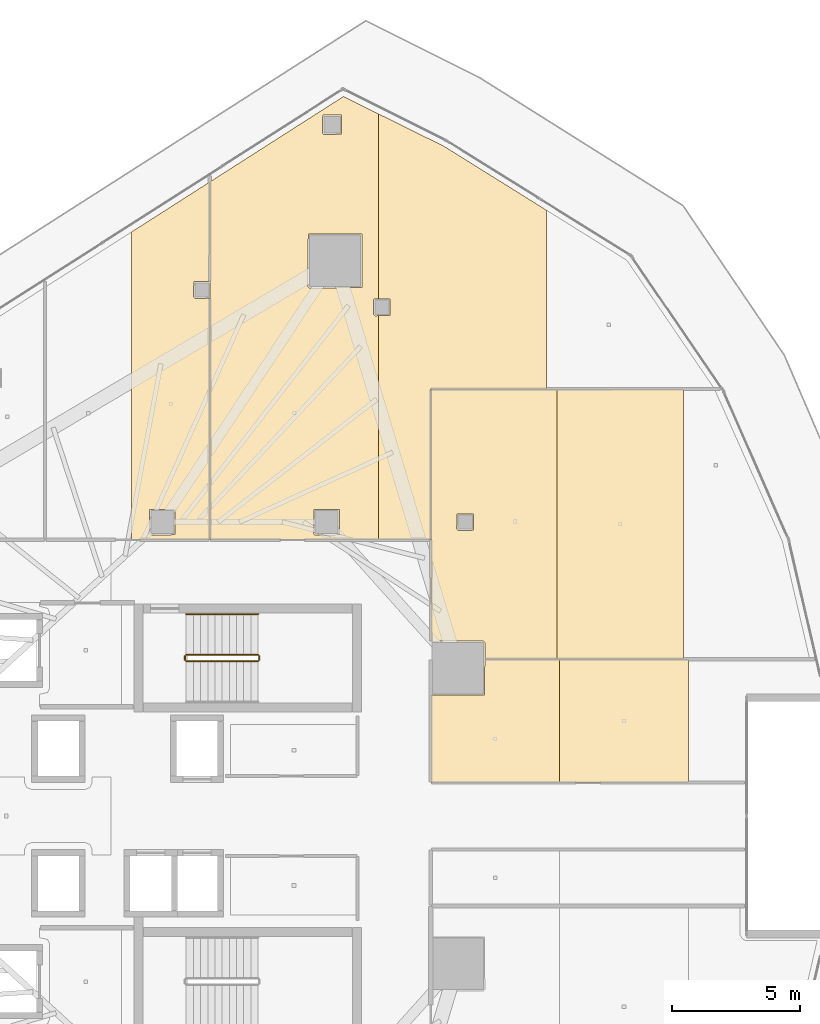
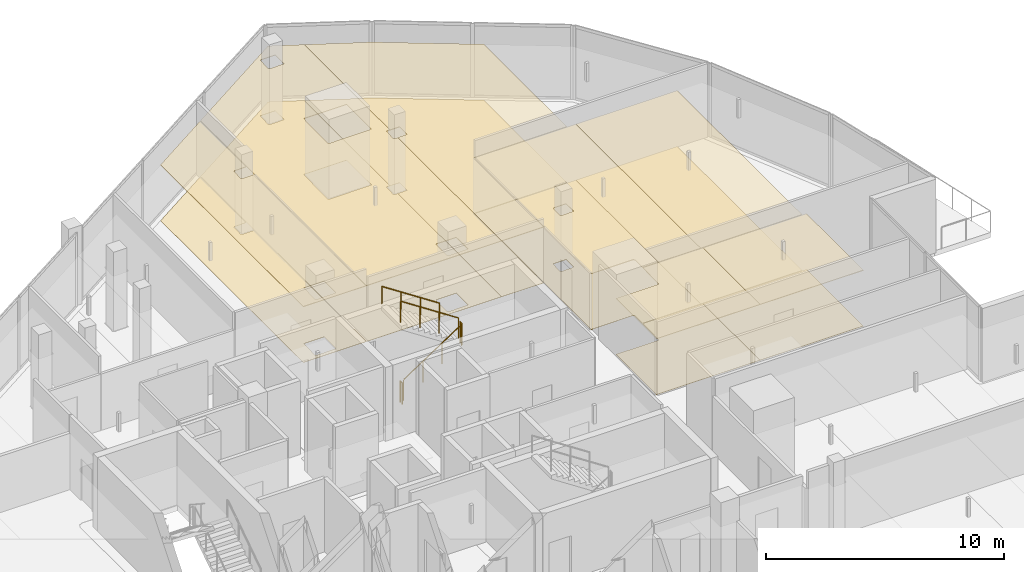
# One storey, part 36 of 37: 14 coverings, 5 railings.
"""IFC4 building model written with IfcOpenShell, lengths in metres."""

from ifc_helpers import new_model, si_unit, direction, frame, origin, origin_2d, place, context, subcontext, project, spatial, polyline, circle, outline, extrude, material, layer, layer_set, type_object, element, save


model = new_model("IFC4")

# Units and contexts
model_context = context("Model", 3, precision=1e-05, world=origin(), true_north=direction((0.0, 1.0)))
body_context = subcontext(model_context, "Body", "Model", "MODEL_VIEW")
ifc_project = project(units=[si_unit("LENGTHUNIT", "METRE"), si_unit("AREAUNIT", "SQUARE_METRE"), si_unit("VOLUMEUNIT", "CUBIC_METRE"), si_unit("PLANEANGLEUNIT", "RADIAN"), si_unit("MASSUNIT", "GRAM", prefix="KILO")], contexts=[model_context])

# Site, building, storey
site_placement = place(None, origin())
site = spatial("IfcSite", under=ifc_project, at=site_placement, CompositionType="ELEMENT")
building_placement = place(site_placement, origin())
building = spatial("IfcBuilding", under=site, at=building_placement, Name="Qorvath Tower", CompositionType="ELEMENT")
storey_placement = place(building_placement, frame((0.0, 0.0, 188.85009765625)))
storey = spatial("IfcBuildingStorey", under=building, at=storey_placement, Name="L43", CompositionType="ELEMENT", Elevation=188.85009765625)

# Coverings
ifc_material_1 = material(Name="Acoustic mineral fibre ceiling tile", Category="gypsum")
ifc_layer_1 = layer(ifc_material_1, 0.030029296875)
ifc_layer_set_1 = layer_set([ifc_layer_1], Name="COV-CEIL")
covering_type_1 = type_object("IfcCoveringType", Name="COV-CEIL", PredefinedType="CEILING", material=ifc_layer_set_1)
covering_1_placement = place(storey_placement, frame((0.0, 0.0, 2.849853515625)))
element("IfcCovering", 1, at=covering_1_placement, inside=storey, type_object=covering_type_1, Name="L43 Suspended Acoustic Ceiling 015", PredefinedType="CEILING", context=body_context, shape_type="SweptSolid", body=[
    extrude(outline(polyline([(-21.7783203125, 20.829833984375), (-21.754638671875, 24.694580078125), (-24.804443359375, 22.745361328125), (-24.804443359375, 10.762939453125), (-21.754638671875, 10.762939453125), (-21.754638671875, 20.169677734375), (-22.328125, 20.159912109375), (-22.38818359375, 20.219970703125), (-22.37060546875, 20.812255859375), (-21.7783203125, 20.829833984375)]), holes=[polyline([(-24.110107421875, 11.0), (-24.092529296875, 11.9423828125), (-23.107666015625, 11.9423828125), (-23.107666015625, 10.95751953125), (-24.050048828125, 10.93994140625), (-24.110107421875, 11.0)])]), origin(), (0.0, 0.0, 1.0), 0.030029296875),
])
covering_2_placement = place(storey_placement, frame((0.0, 0.0, 2.849853515625)))
element("IfcCovering", 2, at=covering_2_placement, inside=storey, type_object=covering_type_1, Name="L43 Suspended Acoustic Ceiling 016", PredefinedType="CEILING", context=body_context, shape_type="SweptSolid", body=[
    extrude(outline(polyline([(-21.736572265625, 10.762939453125), (-15.188232421875, 10.762939453125), (-15.188232421875, 19.487060546875), (-15.321044921875, 19.483154296875), (-15.381103515625, 19.543212890625), (-15.363525390625, 20.135498046875), (-15.188232421875, 20.135498046875), (-15.188232421875, 27.3525390625), (-16.5458984375, 28.023681640625), (-21.736572265625, 24.7060546875), (-21.736572265625, 10.762939453125)]), holes=[polyline([(-17.931640625, 20.627197265625), (-17.9140625, 22.66943359375), (-15.829345703125, 22.66943359375), (-15.829345703125, 20.584716796875), (-17.87158203125, 20.567138671875), (-17.931640625, 20.627197265625)]), polyline([(-17.3662109375, 26.604248046875), (-17.3486328125, 27.296630859375), (-16.61376953125, 27.296630859375), (-16.61376953125, 26.561767578125), (-17.30615234375, 26.544189453125), (-17.3662109375, 26.604248046875)]), polyline([(-17.7099609375, 11.0), (-17.6923828125, 11.9423828125), (-16.70751953125, 11.9423828125), (-16.70751953125, 10.95751953125), (-17.64990234375, 10.93994140625), (-17.7099609375, 11.0)])]), origin(), (0.0, 0.0, 1.0), 0.030029296875),
])
covering_3_placement = place(storey_placement, frame((0.0, 0.0, 2.849853515625)))
element("IfcCovering", 3, at=covering_3_placement, inside=storey, type_object=covering_type_1, Name="L43 Suspended Acoustic Ceiling 017", PredefinedType="CEILING", context=body_context, shape_type="SweptSolid", body=[
    extrude(outline(polyline([(-15.188232421875, 27.3525390625), (-15.188232421875, 20.135498046875), (-14.728759765625, 20.135498046875), (-14.728759765625, 19.500732421875), (-15.188232421875, 19.487060546875), (-15.188232421875, 10.762939453125), (-13.155029296875, 10.762939453125), (-13.14990234375, 16.6259765625), (-8.6396484375, 16.629638671875), (-8.6396484375, 23.598876953125), (-12.630126953125, 26.088134765625), (-15.188232421875, 27.3525390625)])), origin(), (0.0, 0.0, 1.0), 0.030029296875),
])
covering_4_placement = place(storey_placement, frame((0.0, 0.0, 2.849853515625)))
element("IfcCovering", 4, at=covering_4_placement, inside=storey, type_object=covering_type_1, Name="L43 Suspended Acoustic Ceiling 033", PredefinedType="CEILING", context=body_context, shape_type="SweptSolid", body=[
    extrude(outline(polyline([(-8.1220703125, 1.31298828125), (-8.1220703125, 6.103759765625), (-11.036865234375, 6.103759765625), (-11.054443359375, 4.715576171875), (-13.136962890625, 4.714599609375), (-13.136962890625, 1.31298828125), (-8.1220703125, 1.31298828125)])), origin(), (0.0, 0.0, 1.0), 0.030029296875),
])
covering_5_placement = place(storey_placement, frame((0.0, 0.0, 2.849853515625)))
element("IfcCovering", 5, at=covering_5_placement, inside=storey, type_object=covering_type_1, Name="L43 Suspended Acoustic Ceiling 035", PredefinedType="CEILING", context=body_context, shape_type="SweptSolid", body=[
    extrude(outline(polyline([(-3.10693359375, 1.31298828125), (-3.10693359375, 6.103759765625), (-8.1220703125, 6.103759765625), (-8.1220703125, 1.31298828125), (-3.10693359375, 1.31298828125)])), origin(), (0.0, 0.0, 1.0), 0.030029296875),
])
covering_6_placement = place(storey_placement, frame((0.0, 0.0, 2.849853515625)))
element("IfcCovering", 6, at=covering_6_placement, inside=storey, type_object=covering_type_1, Name="L43 Suspended Acoustic Ceiling 036", PredefinedType="CEILING", context=body_context, shape_type="SweptSolid", body=[
    extrude(outline(polyline([(-11.036865234375, 6.121826171875), (-8.219970703125, 6.121826171875), (-8.219970703125, 16.61181640625), (-13.136962890625, 16.60791015625), (-13.129638671875, 6.804443359375), (-11.0966796875, 6.81787109375), (-11.036865234375, 6.7578125), (-11.036865234375, 6.121826171875)]), holes=[polyline([(-12.135009765625, 11.175048828125), (-12.117431640625, 11.767333984375), (-11.482666015625, 11.767333984375), (-11.482666015625, 11.132568359375), (-12.074951171875, 11.114990234375), (-12.135009765625, 11.175048828125)])]), origin(), (0.0, 0.0, 1.0), 0.030029296875),
])
covering_7_placement = place(storey_placement, frame((0.0, 0.0, 2.849853515625)))
element("IfcCovering", 7, at=covering_7_placement, inside=storey, type_object=covering_type_1, Name="L43 Suspended Acoustic Ceiling 037", PredefinedType="CEILING", context=body_context, shape_type="SweptSolid", body=[
    extrude(outline(polyline([(-8.219970703125, 16.61181640625), (-8.219970703125, 6.121826171875), (-3.302978515625, 6.121826171875), (-3.302978515625, 16.615966796875), (-8.219970703125, 16.61181640625)])), origin(), (0.0, 0.0, 1.0), 0.030029296875),
])
ifc_material_2 = material(Name="Low-VOC modular carpet tile", Category="textile")
ifc_layer_2 = layer(ifc_material_2, 0.014892578125)
ifc_layer_set_2 = layer_set([ifc_layer_2], Name="COV-FLOOR-CPT")
covering_type_2 = type_object("IfcCoveringType", Name="COV-FLOOR-CPT", PredefinedType="FLOORING", material=ifc_layer_set_2)
covering_8_placement = place(storey_placement, origin())
element("IfcCovering", 8, at=covering_8_placement, inside=storey, type_object=covering_type_2, Name="L43 Floor Finish 015", PredefinedType="FLOORING", context=body_context, shape_type="SweptSolid", body=[
    extrude(outline(polyline([(-21.7783203125, 20.829833984375), (-21.754638671875, 24.694580078125), (-24.804443359375, 22.745361328125), (-24.804443359375, 10.762939453125), (-21.754638671875, 10.762939453125), (-21.754638671875, 20.169677734375), (-22.328125, 20.159912109375), (-22.38818359375, 20.219970703125), (-22.37060546875, 20.812255859375), (-21.7783203125, 20.829833984375)]), holes=[polyline([(-24.110107421875, 11.0), (-24.092529296875, 11.9423828125), (-23.107666015625, 11.9423828125), (-23.107666015625, 10.95751953125), (-24.050048828125, 10.93994140625), (-24.110107421875, 11.0)])]), origin(), (0.0, 0.0, 1.0), 0.014892578125),
])
covering_9_placement = place(storey_placement, origin())
element("IfcCovering", 9, at=covering_9_placement, inside=storey, type_object=covering_type_2, Name="L43 Floor Finish 016", PredefinedType="FLOORING", context=body_context, shape_type="SweptSolid", body=[
    extrude(outline(polyline([(-21.736572265625, 10.762939453125), (-15.188232421875, 10.762939453125), (-15.188232421875, 19.487060546875), (-15.321044921875, 19.483154296875), (-15.381103515625, 19.543212890625), (-15.363525390625, 20.135498046875), (-15.188232421875, 20.135498046875), (-15.188232421875, 27.3525390625), (-16.5458984375, 28.023681640625), (-21.736572265625, 24.7060546875), (-21.736572265625, 10.762939453125)]), holes=[polyline([(-17.931640625, 20.627197265625), (-17.9140625, 22.66943359375), (-15.829345703125, 22.66943359375), (-15.829345703125, 20.584716796875), (-17.87158203125, 20.567138671875), (-17.931640625, 20.627197265625)]), polyline([(-17.3662109375, 26.604248046875), (-17.3486328125, 27.296630859375), (-16.61376953125, 27.296630859375), (-16.61376953125, 26.561767578125), (-17.30615234375, 26.544189453125), (-17.3662109375, 26.604248046875)]), polyline([(-17.7099609375, 11.0), (-17.6923828125, 11.9423828125), (-16.70751953125, 11.9423828125), (-16.70751953125, 10.95751953125), (-17.64990234375, 10.93994140625), (-17.7099609375, 11.0)])]), origin(), (0.0, 0.0, 1.0), 0.014892578125),
])
covering_10_placement = place(storey_placement, origin())
element("IfcCovering", 10, at=covering_10_placement, inside=storey, type_object=covering_type_2, Name="L43 Floor Finish 017", PredefinedType="FLOORING", context=body_context, shape_type="SweptSolid", body=[
    extrude(outline(polyline([(-15.188232421875, 27.3525390625), (-15.188232421875, 20.135498046875), (-14.728759765625, 20.135498046875), (-14.728759765625, 19.500732421875), (-15.188232421875, 19.487060546875), (-15.188232421875, 10.762939453125), (-13.155029296875, 10.762939453125), (-13.14990234375, 16.6259765625), (-8.6396484375, 16.629638671875), (-8.6396484375, 23.598876953125), (-12.630126953125, 26.088134765625), (-15.188232421875, 27.3525390625)])), origin(), (0.0, 0.0, 1.0), 0.014892578125),
])
covering_11_placement = place(storey_placement, origin())
element("IfcCovering", 11, at=covering_11_placement, inside=storey, type_object=covering_type_2, Name="L43 Floor Finish 033", PredefinedType="FLOORING", context=body_context, shape_type="SweptSolid", body=[
    extrude(outline(polyline([(-8.1220703125, 1.31298828125), (-8.1220703125, 6.103759765625), (-11.036865234375, 6.103759765625), (-11.054443359375, 4.715576171875), (-13.136962890625, 4.714599609375), (-13.136962890625, 1.31298828125), (-8.1220703125, 1.31298828125)])), origin(), (0.0, 0.0, 1.0), 0.014892578125),
])
covering_12_placement = place(storey_placement, origin())
element("IfcCovering", 12, at=covering_12_placement, inside=storey, type_object=covering_type_2, Name="L43 Floor Finish 035", PredefinedType="FLOORING", context=body_context, shape_type="SweptSolid", body=[
    extrude(outline(polyline([(-3.10693359375, 1.31298828125), (-3.10693359375, 6.103759765625), (-8.1220703125, 6.103759765625), (-8.1220703125, 1.31298828125), (-3.10693359375, 1.31298828125)])), origin(), (0.0, 0.0, 1.0), 0.014892578125),
])
covering_13_placement = place(storey_placement, origin())
element("IfcCovering", 13, at=covering_13_placement, inside=storey, type_object=covering_type_2, Name="L43 Floor Finish 036", PredefinedType="FLOORING", context=body_context, shape_type="SweptSolid", body=[
    extrude(outline(polyline([(-11.036865234375, 6.121826171875), (-8.219970703125, 6.121826171875), (-8.219970703125, 16.61181640625), (-13.136962890625, 16.60791015625), (-13.129638671875, 6.804443359375), (-11.0966796875, 6.81787109375), (-11.036865234375, 6.7578125), (-11.036865234375, 6.121826171875)]), holes=[polyline([(-12.135009765625, 11.175048828125), (-12.117431640625, 11.767333984375), (-11.482666015625, 11.767333984375), (-11.482666015625, 11.132568359375), (-12.074951171875, 11.114990234375), (-12.135009765625, 11.175048828125)])]), origin(), (0.0, 0.0, 1.0), 0.014892578125),
])
covering_14_placement = place(storey_placement, origin())
element("IfcCovering", 14, at=covering_14_placement, inside=storey, type_object=covering_type_2, Name="L43 Floor Finish 037", PredefinedType="FLOORING", context=body_context, shape_type="SweptSolid", body=[
    extrude(outline(polyline([(-8.219970703125, 16.61181640625), (-8.219970703125, 6.121826171875), (-3.302978515625, 6.121826171875), (-3.302978515625, 16.615966796875), (-8.219970703125, 16.61181640625)])), origin(), (0.0, 0.0, 1.0), 0.014892578125),
])

# Railings
ifc_material_3 = material(Name="Painted galvanised steel", Category="steel")
railing_type_1 = type_object("IfcRailingType", Name="RL-STR-GRD", PredefinedType="GUARDRAIL", material=ifc_material_3)
railing_1_placement = place(storey_placement, frame((-22.669921875, 6.030029296875, 0.18408203125)))
element("IfcRailing", 15, at=railing_1_placement, inside=storey, type_object=railing_type_1, Name="L43 TS1 stair guard 1", PredefinedType="GUARDRAIL", context=body_context, shape_type="SweptSolid", body=[
    extrude(circle(Radius=0.02392578125, at=origin_2d()), frame((0.0, 0.0, 1.076171875), z_axis=(0.835575518608, 0.0, 0.549375602573), x_axis=(0.0, 1.0, 0.0)), (0.0, 0.0, 1.0), 3.350830078125),
    extrude(circle(Radius=0.02099609375, at=origin_2d()), origin(), (0.0, 0.0, 1.0), 1.052001953125),
    extrude(circle(Radius=0.02099609375, at=origin_2d()), frame((0.933349609375, 0.0, 0.613525390625)), (0.0, 0.0, 1.0), 1.052001953125),
    extrude(circle(Radius=0.02099609375, at=origin_2d()), frame((1.866455078125, 0.0, 1.227294921875)), (0.0, 0.0, 1.0), 1.052001953125),
    extrude(circle(Radius=0.02099609375, at=origin_2d()), frame((2.7998046875, 0.0, 1.8408203125)), (0.0, 0.0, 1.0), 1.052001953125),
])
railing_2_placement = place(storey_placement, frame((-19.820068359375, 6.080078125, 2.02490234375)))
element("IfcRailing", 16, at=railing_2_placement, inside=storey, type_object=railing_type_1, Name="L43 TS1 stair guard 2", PredefinedType="GUARDRAIL", context=body_context, shape_type="SweptSolid", body=[
    extrude(circle(Radius=0.02392578125, at=origin_2d()), frame((0.0, 0.0, 1.076171875), z_axis=(0.0, 1.0, 0.0), x_axis=(-1.0, 0.0, 0.0)), (0.0, 0.0, 1.0), 0.14990234375),
    extrude(circle(Radius=0.02099609375, at=origin_2d()), origin(), (0.0, 0.0, 1.0), 1.052001953125),
    extrude(circle(Radius=0.02099609375, at=origin_2d()), frame((0.0, 0.14990234375, 0.0)), (0.0, 0.0, 1.0), 1.052001953125),
])
railing_3_placement = place(storey_placement, frame((-19.8701171875, 6.280029296875, 2.208984375)))
element("IfcRailing", 17, at=railing_3_placement, inside=storey, type_object=railing_type_1, Name="L43 TS1 stair guard 3", PredefinedType="GUARDRAIL", context=body_context, shape_type="SweptSolid", body=[
    extrude(circle(Radius=0.02392578125, at=origin_2d()), frame((0.0, 0.0, 1.076171875), z_axis=(-0.835575518608, 0.0, 0.549375602573), x_axis=(0.0, -1.0, 0.0)), (0.0, 0.0, 1.0), 3.350830078125),
    extrude(circle(Radius=0.02099609375, at=origin_2d()), origin(), (0.0, 0.0, 1.0), 1.052001953125),
    extrude(circle(Radius=0.02099609375, at=origin_2d()), frame((-0.933349609375, 0.0, 0.613525390625)), (0.0, 0.0, 1.0), 1.052001953125),
    extrude(circle(Radius=0.02099609375, at=origin_2d()), frame((-1.866455078125, 0.0, 1.227294921875)), (0.0, 0.0, 1.0), 1.052001953125),
    extrude(circle(Radius=0.02099609375, at=origin_2d()), frame((-2.7998046875, 0.0, 1.8408203125)), (0.0, 0.0, 1.0), 1.052001953125),
])
railing_4_placement = place(storey_placement, frame((-22.719970703125, 6.080078125, 0.0)))
element("IfcRailing", 18, at=railing_4_placement, inside=storey, type_object=railing_type_1, Name="L43 TS1 stair guard 4", PredefinedType="GUARDRAIL", context=body_context, shape_type="SweptSolid", body=[
    extrude(circle(Radius=0.02392578125, at=origin_2d()), frame((0.0, 0.0, 1.076171875), z_axis=(0.0, 1.0, 0.0), x_axis=(-1.0, 0.0, 0.0)), (0.0, 0.0, 1.0), 0.14990234375),
    extrude(circle(Radius=0.02099609375, at=origin_2d()), origin(), (0.0, 0.0, 1.0), 1.052001953125),
    extrude(circle(Radius=0.02099609375, at=origin_2d()), frame((0.0, 0.14990234375, 0.0)), (0.0, 0.0, 1.0), 1.052001953125),
])
ifc_material_4 = material(Name="Brushed stainless steel AISI 304", Category="steel")
railing_type_2 = type_object("IfcRailingType", Name="RL-STR-HND", PredefinedType="HANDRAIL", material=ifc_material_4)
railing_5_placement = place(storey_placement, frame((-19.8701171875, 7.860107421875, 2.208984375)))
element("IfcRailing", 19, at=railing_5_placement, inside=storey, type_object=railing_type_2, Name="L43 TS1 stair handrail 2", PredefinedType="HANDRAIL", context=body_context, shape_type="SweptSolid", body=[
    extrude(circle(Radius=0.02392578125, at=origin_2d()), frame((0.0, 0.0, 0.8759765625), z_axis=(-0.835575518608, 0.0, 0.549375602573), x_axis=(0.0, -1.0, 0.0)), (0.0, 0.0, 1.0), 3.350830078125),
    extrude(circle(Radius=0.02099609375, at=origin_2d()), origin(), (0.0, 0.0, 1.0), 0.851806640625),
    extrude(circle(Radius=0.02099609375, at=origin_2d()), frame((-0.933349609375, 0.0, 0.613525390625)), (0.0, 0.0, 1.0), 0.851806640625),
    extrude(circle(Radius=0.02099609375, at=origin_2d()), frame((-1.866455078125, 0.0, 1.227294921875)), (0.0, 0.0, 1.0), 0.851806640625),
    extrude(circle(Radius=0.02099609375, at=origin_2d()), frame((-2.7998046875, 0.0, 1.8408203125)), (0.0, 0.0, 1.0), 0.851806640625),
])

save(model, "model.ifc")
